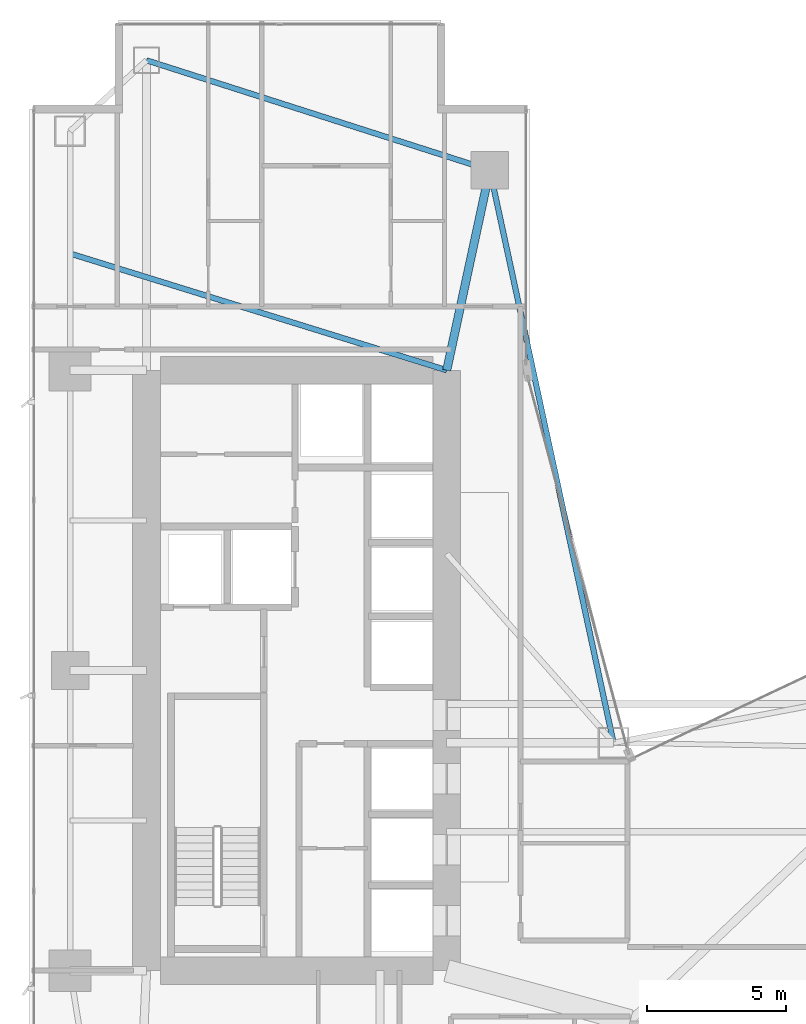
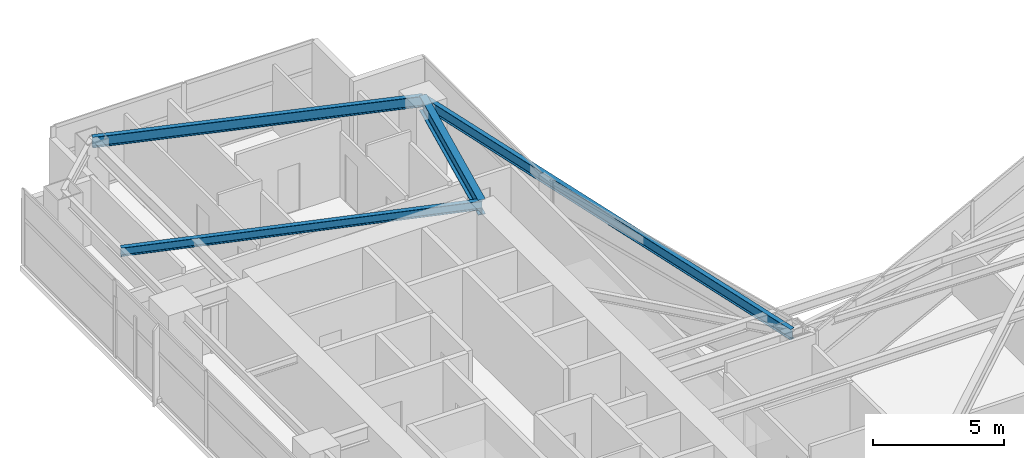
# One storey, part 17 of 29: 4 beams.
"""IFC4 building model written with IfcOpenShell, lengths in metres."""

from ifc_helpers import new_model, si_unit, direction, frame, origin, origin_2d, place, context, subcontext, project, spatial, i_section, extrude, material, material_profile, profile_set, type_object, element, save


model = new_model("IFC4")

# Units and contexts
model_context = context("Model", 3, precision=1e-05, world=origin(), true_north=direction((0.0, 1.0)))
body_context = subcontext(model_context, "Body", "Model", "MODEL_VIEW")
ifc_project = project(units=[si_unit("LENGTHUNIT", "METRE"), si_unit("AREAUNIT", "SQUARE_METRE"), si_unit("VOLUMEUNIT", "CUBIC_METRE"), si_unit("PLANEANGLEUNIT", "RADIAN"), si_unit("MASSUNIT", "GRAM", prefix="KILO")], contexts=[model_context])

# Site, building, storey
site_placement = place(None, origin())
site = spatial("IfcSite", under=ifc_project, at=site_placement, CompositionType="ELEMENT")
building_placement = place(site_placement, origin())
building = spatial("IfcBuilding", under=site, at=building_placement, Name="Calvorn Quay Hotel", CompositionType="ELEMENT")
storey_placement = place(building_placement, frame((0.0, 0.0, 38.39990234375)))
storey = spatial("IfcBuildingStorey", under=building, at=storey_placement, Name="L08", CompositionType="ELEMENT", Elevation=38.39990234375)

# Beams
ifc_material_1 = material(Name="Steel Q390GJC", Category="steel")
ifc_material_profile_1 = material_profile(ifc_material_1, i_section(OverallWidth=0.300048828125, OverallDepth=0.699951171875, WebThickness=0.012939453125, FlangeThickness=0.02392578125, FilletRadius=0.02392578125, at=origin_2d()), Name="HN700x300x13x24")
ifc_profile_set_1 = profile_set([ifc_material_profile_1], Name="Steel Q390GJC")
beam_type_1 = type_object("IfcBeamType", Name="BM-GIRD-MAIN", PredefinedType="BEAM", material=ifc_profile_set_1)
beam_1_placement = place(storey_placement, frame((16.550048828125, 45.60009765625, 3.190185546875), z_axis=(-0.210457140491, -0.97760308511, 0.0), x_axis=(0.97760308511, -0.210457140491, 0.0)))
element("IfcBeam", 1, at=beam_1_placement, inside=storey, type_object=beam_type_1, Name="Beam BG-L08-W6", PredefinedType="BEAM", context=body_context, shape_type="SweptSolid", body=[
    extrude(i_section(OverallWidth=0.300048828125, OverallDepth=0.699951171875, WebThickness=0.012939453125, FlangeThickness=0.02392578125, FilletRadius=0.02392578125, at=origin_2d()), origin(), (0.0, 0.0, 1.0), 7.365234375),
])
ifc_material_2 = material(Name="Steel Q355B", Category="steel")
ifc_material_profile_2 = material_profile(ifc_material_2, i_section(OverallWidth=0.199951171875, OverallDepth=0.39990234375, WebThickness=0.008056640625, FlangeThickness=0.012939453125, FilletRadius=0.01611328125, at=origin_2d()), Name="HN400x200x8x13")
ifc_profile_set_2 = profile_set([ifc_material_profile_2], Name="Steel Q355B")
beam_type_2 = type_object("IfcBeamType", Name="BM-JOIST-TYP", PredefinedType="JOIST", material=ifc_profile_set_2)
beam_2_placement = place(storey_placement, frame((1.449951171875, 42.60009765625, 3.340087890625), z_axis=(0.955163702122, -0.296078202759, 0.0), x_axis=(0.296078202759, 0.955163702122, 0.0)))
element("IfcBeam", 2, at=beam_2_placement, inside=storey, type_object=beam_type_2, Name="Beam BJ-L08-W2", PredefinedType="JOIST", context=body_context, shape_type="SweptSolid", body=[
    extrude(i_section(OverallWidth=0.199951171875, OverallDepth=0.39990234375, WebThickness=0.008056640625, FlangeThickness=0.012939453125, FilletRadius=0.01611328125, at=origin_2d()), origin(), (0.0, 0.0, 1.0), 14.18603515625),
])
ifc_material_3 = material(Name="Steel Q355B", Category="steel")
ifc_material_profile_3 = material_profile(ifc_material_3, i_section(OverallWidth=0.199951171875, OverallDepth=0.5, WebThickness=0.010009765625, FlangeThickness=0.01611328125, FilletRadius=0.01611328125, at=origin_2d()), Name="HN500x200x10x16")
ifc_profile_set_3 = profile_set([ifc_material_profile_3], Name="Steel Q355B")
beam_type_3 = type_object("IfcBeamType", Name="BM-SPANDREL-Z1", PredefinedType="SPANDREL", material=ifc_profile_set_3)
beam_3_placement = place(storey_placement, frame((4.199951171875, 49.550048828125, 3.2900390625), z_axis=(0.952470702374, -0.304630203885, 0.0), x_axis=(0.304630203885, 0.952470702374, 0.0)))
element("IfcBeam", 3, at=beam_3_placement, inside=storey, type_object=beam_type_3, Name="Beam BSP-L08-W6", PredefinedType="SPANDREL", context=body_context, shape_type="SweptSolid", body=[
    extrude(i_section(OverallWidth=0.199951171875, OverallDepth=0.5, WebThickness=0.010009765625, FlangeThickness=0.01611328125, FilletRadius=0.01611328125, at=origin_2d()), origin(), (0.0, 0.0, 1.0), 12.96630859375),
])
beam_4_placement = place(storey_placement, frame((16.550048828125, 45.60009765625, 3.2900390625), z_axis=(0.211145848376, -0.977454567084, 0.0), x_axis=(0.977454567084, 0.211145848376, 0.0)))
element("IfcBeam", 4, at=beam_4_placement, inside=storey, type_object=beam_type_3, Name="Beam BSP-L08-W7", PredefinedType="SPANDREL", context=body_context, shape_type="SweptSolid", body=[
    extrude(i_section(OverallWidth=0.199951171875, OverallDepth=0.5, WebThickness=0.010009765625, FlangeThickness=0.01611328125, FilletRadius=0.01611328125, at=origin_2d()), origin(), (0.0, 0.0, 1.0), 21.0751953125),
])

save(model, "model.ifc")
